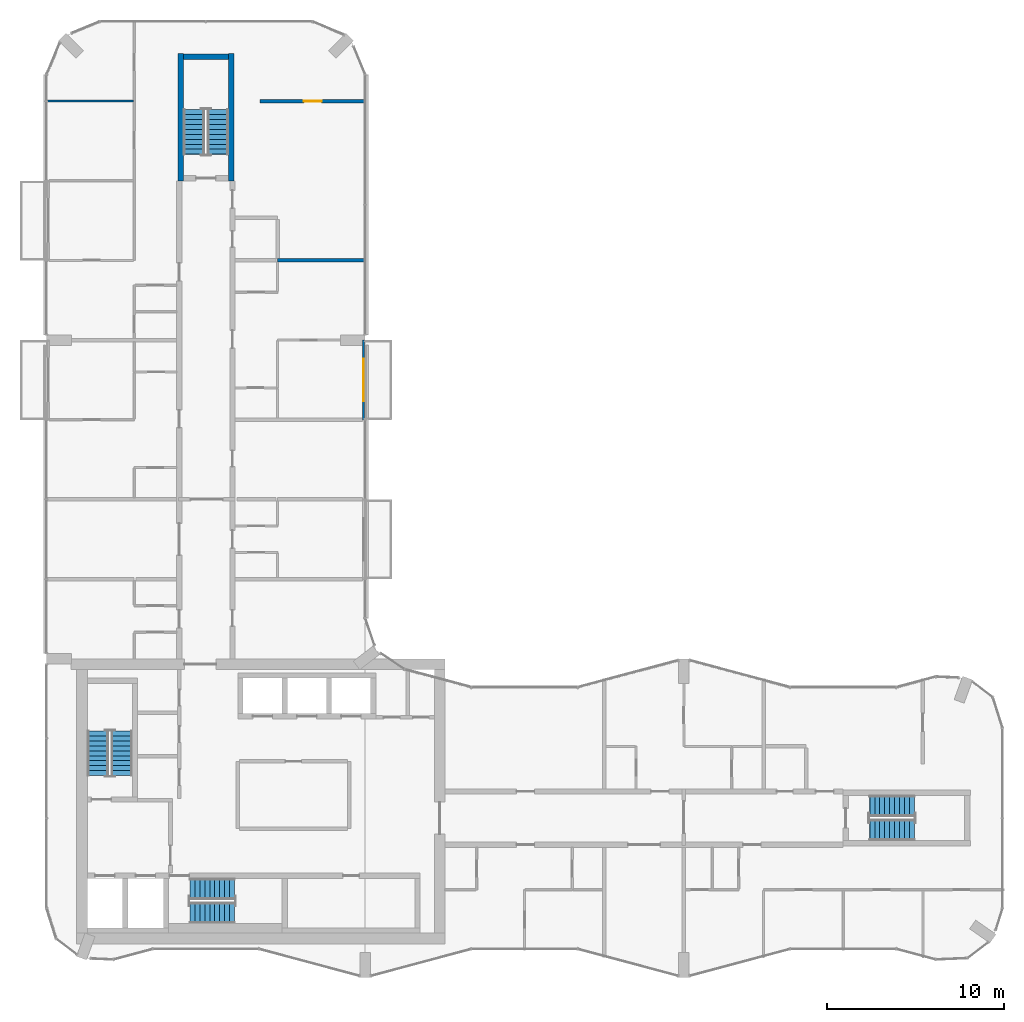
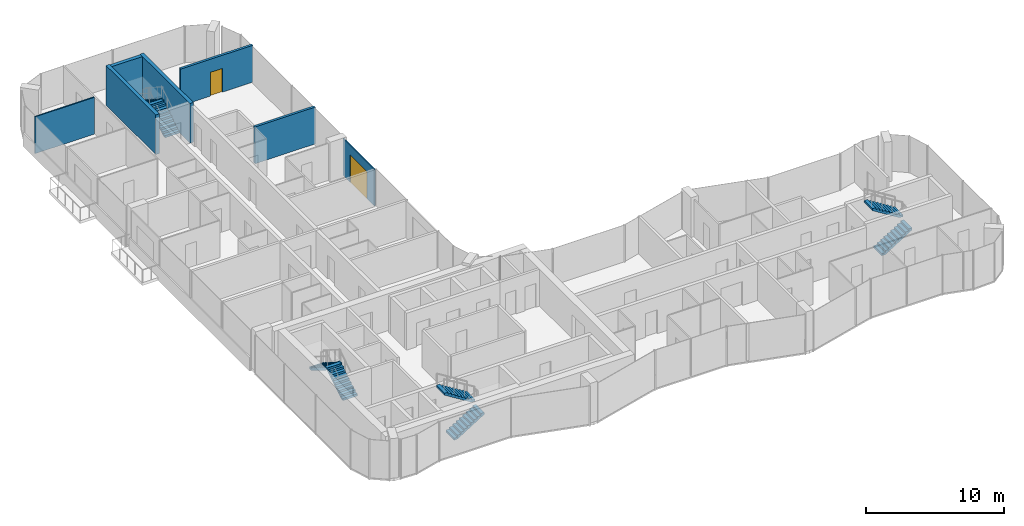
# One storey, part 13 of 15: 8 stair flights, 7 walls, 2 doors, 2 openings, 4 elements without a shape of their own.
"""IFC4 building model written with IfcOpenShell, lengths in metres."""

from ifc_helpers import new_model, si_unit, direction, frame, frame_2d, origin, place, context, subcontext, project, spatial, polyline, rectangle, outline, extrude, material, layer, layer_set, type_object, element, fill, aggregate, save


model = new_model("IFC4")

# Units and contexts
model_context = context("Model", 3, precision=1e-05, world=origin(), true_north=direction((0.0, 1.0)))
body_context = subcontext(model_context, "Body", "Model", "MODEL_VIEW")
ifc_project = project(units=[si_unit("LENGTHUNIT", "METRE"), si_unit("AREAUNIT", "SQUARE_METRE"), si_unit("VOLUMEUNIT", "CUBIC_METRE"), si_unit("PLANEANGLEUNIT", "RADIAN"), si_unit("MASSUNIT", "GRAM", prefix="KILO")], contexts=[model_context])

# Site, building, storey
site_placement = place(None, origin())
site = spatial("IfcSite", under=ifc_project, at=site_placement, CompositionType="ELEMENT")
building_placement = place(site_placement, origin())
building = spatial("IfcBuilding", under=site, at=building_placement, Name="Plateau Cross Towers", CompositionType="ELEMENT")
storey_placement = place(building_placement, frame((0.0, 0.0, 149.89990234375)))
storey = spatial("IfcBuildingStorey", under=building, at=storey_placement, Name="L38", CompositionType="ELEMENT", Elevation=149.89990234375)

# Wall, opening, door
ifc_material_1 = material(Name="Aluminium framed glazing", Category="aluminium")
ifc_layer_1 = layer(ifc_material_1, 0.10009765625)
ifc_layer_set_1 = layer_set([ifc_layer_1], Name="Aluminium framed glazing")
wall_type_1 = type_object("IfcWallType", Name="Balcony screen wall 100", PredefinedType="STANDARD", material=ifc_layer_set_1)
wall_1_placement = place(storey_placement, frame((17.89990234375, 36.0, 0.0), z_axis=(0.0, 0.0, 1.0), x_axis=(0.0, -1.0, 0.0)))
wall_1 = element("IfcWall", 1, at=wall_1_placement, inside=storey, type_object=wall_type_1, Name="Balcony screen wall A-BAL-L38-04", PredefinedType="STANDARD", context=body_context, shape_type="SweptSolid", body=[
    extrude(rectangle(XDim=4.5, YDim=0.10009765625, at=frame_2d((2.25, 0.0))), origin(), (0.0, 0.0, 1.0), 3.25),
])
opening_1_placement = place(wall_1_placement, frame((1.050048828125, 0.0, 0.0)))
opening_1 = element("IfcOpeningElement", 2, at=opening_1_placement, cuts=wall_1, Name="Opening D-B24", PredefinedType="OPENING", context=body_context, shape_type="SweptSolid", body=[
    extrude(rectangle(XDim=2.39990234375, YDim=2.39990234375, at=frame_2d((1.199951171875, 1.199951171875))), frame((0.0, 0.06005859375, 0.0), z_axis=(0.0, -1.0, 0.0), x_axis=(1.0, 0.0, 0.0)), (0.0, 0.0, 1.0), 0.1201171875),
])
ifc_material_2 = material(Name="Aluminium frame, double glazing", Category="aluminium")
door_type_1 = type_object("IfcDoorType", Name="Balcony sliding door 2400", OperationType="NOTDEFINED", PredefinedType="DOOR", material=ifc_material_2)
door_1_placement = place(opening_1_placement, origin())
door_1 = element("IfcDoor", 3, at=door_1_placement, inside=storey, type_object=door_type_1, Name="Balcony door A-BAL-L38-04", OperationType="SINGLE_SWING_LEFT", OverallHeight=2.39990234375, OverallWidth=2.39990234375, PredefinedType="DOOR", context=body_context, shape_type="SweptSolid", body=[
    extrude(rectangle(XDim=2.39990234375, YDim=2.39990234375, at=frame_2d((1.199951171875, 1.199951171875))), frame((0.0, 0.02490234375, 0.0), z_axis=(0.0, -1.0, 0.0), x_axis=(1.0, 0.0, 0.0)), (0.0, 0.0, 1.0), 0.050048828125),
])
fill(opening_1, door_1)

# Walls
ifc_material_3 = material(Name="Gypsum board on steel studs", Category="steel")
ifc_layer_2 = layer(ifc_material_3, 0.10009765625)
ifc_layer_set_2 = layer_set([ifc_layer_2], Name="Gypsum board on steel studs")
wall_type_2 = type_object("IfcWallType", Name="Flat partition 100", PredefinedType="PARTITIONING", material=ifc_layer_set_2)
wall_2_placement = place(storey_placement, frame((4.89990234375, 49.5, 0.0), z_axis=(0.0, 0.0, 1.0), x_axis=(-1.0, 0.0, 0.0)))
element("IfcWall", 4, at=wall_2_placement, inside=storey, type_object=wall_type_2, Name="Partition wall", PredefinedType="PARTITIONING", context=body_context, shape_type="SweptSolid", body=[
    extrude(rectangle(XDim=4.97998046875, YDim=0.10009765625, at=frame_2d((2.489990234375, 0.0))), origin(), (0.0, 0.0, 1.0), 3.25),
])
ifc_material_4 = material(Name="Gypsum board on steel studs, two layers each side", Category="steel")
ifc_layer_3 = layer(ifc_material_4, 0.199951171875)
ifc_layer_set_3 = layer_set([ifc_layer_3], Name="Gypsum board on steel studs, two layers each side")
wall_type_3 = type_object("IfcWallType", Name="Flat party wall 200", PredefinedType="PARTITIONING", material=ifc_layer_set_3)
wall_3_placement = place(storey_placement, frame((13.050048828125, 40.5, 0.0), z_axis=(0.0, 0.0, 1.0), x_axis=(1.0, 0.0, 0.0)))
element("IfcWall", 5, at=wall_3_placement, inside=storey, type_object=wall_type_3, Name="Party wall", PredefinedType="PARTITIONING", context=body_context, shape_type="SweptSolid", body=[
    extrude(rectangle(XDim=5.030029296875, YDim=0.199951171875, at=frame_2d((2.51513671875, 0.0))), origin(), (0.0, 0.0, 1.0), 3.25),
])

# Wall, opening, door
wall_4_placement = place(storey_placement, frame((18.080078125, 49.5, 0.0), z_axis=(0.0, 0.0, 1.0), x_axis=(-1.0, 0.0, 0.0)))
wall_4 = element("IfcWall", 6, at=wall_4_placement, inside=storey, type_object=wall_type_3, Name="Party wall", PredefinedType="PARTITIONING", context=body_context, shape_type="SweptSolid", body=[
    extrude(rectangle(XDim=6.030029296875, YDim=0.199951171875, at=frame_2d((3.01513671875, 0.0))), origin(), (0.0, 0.0, 1.0), 3.25),
])
opening_2_placement = place(wall_4_placement, frame((2.550048828125, 0.0, 0.0)))
opening_2 = element("IfcOpeningElement", 7, at=opening_2_placement, cuts=wall_4, Name="Opening 38-21", PredefinedType="OPENING", context=body_context, shape_type="SweptSolid", body=[
    extrude(rectangle(XDim=1.0, YDim=2.10009765625, at=frame_2d((0.5, 1.050048828125))), frame((0.0, 0.10986328125, 0.0), z_axis=(0.0, -1.0, 0.0), x_axis=(1.0, 0.0, 0.0)), (0.0, 0.0, 1.0), 0.219970703125),
])
ifc_material_5 = material(Name="Timber, fire-resisting leaf", Category="wood")
door_type_2 = type_object("IfcDoorType", Name="Flat entrance door 1000", OperationType="NOTDEFINED", PredefinedType="DOOR", material=ifc_material_5)
door_2_placement = place(opening_2_placement, origin())
door_2 = element("IfcDoor", 8, at=door_2_placement, inside=storey, type_object=door_type_2, Name="Door 38-21", OperationType="SINGLE_SWING_RIGHT", OverallHeight=2.10009765625, OverallWidth=1.0, PredefinedType="DOOR", context=body_context, shape_type="SweptSolid", body=[
    extrude(rectangle(XDim=1.0, YDim=2.10009765625, at=frame_2d((0.5, 1.050048828125))), frame((0.0, 0.02490234375, 0.0), z_axis=(0.0, -1.0, 0.0), x_axis=(1.0, 0.0, 0.0)), (0.0, 0.0, 1.0), 0.050048828125),
])
fill(opening_2, door_2)

# Walls
ifc_material_6 = material(Name="Concrete C60/75", Category="concrete")
ifc_layer_4 = layer(ifc_material_6, 0.300048828125)
ifc_layer_set_4 = layer_set([ifc_layer_4], Name="Concrete C60/75")
wall_type_4 = type_object("IfcWallType", Name="Stair tower wall 300", PredefinedType="SHEAR", material=ifc_layer_set_4)
wall_5_placement = place(storey_placement, frame((7.72509765625, 52.0, 0.0), z_axis=(0.0, 0.0, 1.0), x_axis=(1.0, 0.0, 0.0)))
element("IfcWall", 9, at=wall_5_placement, inside=storey, type_object=wall_type_4, Name="A-end-N-N@L38", PredefinedType="SHEAR", context=body_context, shape_type="SweptSolid", body=[
    extrude(rectangle(XDim=2.5498046875, YDim=0.300048828125, at=frame_2d((1.27490234375, 0.0))), origin(), (0.0, 0.0, 1.0), 3.5),
])
for number, where, z_axis, x_axis, name in (
    (10, (7.574951171875, 45.0, 0.0), (0.0, 0.0, 1.0), (0.0, 1.0, 0.0), "A-end-N-W@L38"),
    (11, (10.425048828125, 45.0, 0.0), (0.0, 0.0, 1.0), (0.0, 1.0, 0.0), "A-end-N-E@L38"),
):
    element("IfcWall", number, at=place(storey_placement, frame(where, z_axis=z_axis, x_axis=x_axis)), inside=storey, type_object=wall_type_4, Name=name, PredefinedType="SHEAR", context=body_context, shape_type="SweptSolid", body=[
        extrude(rectangle(XDim=7.199951171875, YDim=0.300048828125, at=frame_2d((3.60009765625, 0.0))), origin(), (0.0, 0.0, 1.0), 3.5),
    ])

# Stair, stair flights
ifc_material_7 = material(Name="Concrete C40/50", Category="concrete")
stair_type = type_object("IfcStairType", Name="ST-TWR", PredefinedType="HALF_TURN_STAIR", material=ifc_material_7)
stair_1_placement = place(storey_placement, origin())
stair_1 = element("IfcStair", 12, at=stair_1_placement, inside=storey, type_object=stair_type, Name="L38 Protected Exit Stair ST-1", PredefinedType="HALF_TURN_STAIR")
stair_flight_type = type_object("IfcStairFlightType", Name="SFL-RC", PredefinedType="STRAIGHT", material=ifc_material_7)
stair_flight_1_placement = place(storey_placement, frame((4.25, 11.39990234375, 0.0), z_axis=(0.0, 0.0, 1.0), x_axis=(0.0, 1.0, 0.0)))
stair_flight_1 = element("IfcStairFlight", 13, at=stair_flight_1_placement, type_object=stair_flight_type, Name="ST-1 flight 1", NumberOfRisers=10, NumberOfTreads=9, PredefinedType="STRAIGHT", RiserHeight=0.175, TreadLength=0.28, context=body_context, shape_type="SweptSolid", body=[
    extrude(outline(polyline([(-0.0048828125, -0.010009765625), (-0.0048828125, 0.0), (0.0, 0.0), (0.0, 0.175048828125), (0.280029296875, 0.175048828125), (0.280029296875, 0.35009765625), (0.56005859375, 0.35009765625), (0.56005859375, 0.52490234375), (0.840087890625, 0.52490234375), (0.840087890625, 0.699951171875), (1.1201171875, 0.699951171875), (1.1201171875, 0.875), (1.39990234375, 0.875), (1.39990234375, 1.050048828125), (1.679931640625, 1.050048828125), (1.679931640625, 1.22509765625), (1.9599609375, 1.22509765625), (1.9599609375, 1.39990234375), (2.239990234375, 1.39990234375), (2.239990234375, 1.574951171875), (2.52001953125, 1.574951171875), (2.52490234375, 1.56494140625), (2.52490234375, 1.398193359375), (2.52001953125, 1.398193359375), (0.28271484375, 0.0), (0.02001953125, 0.0), (0.02001953125, -0.010009765625), (-0.0048828125, -0.010009765625)])), frame((0.0, 0.60009765625, 0.0), z_axis=(0.0, -1.0, 0.0), x_axis=(1.0, 0.0, 0.0)), (0.0, 0.0, 1.0), 1.199951171875),
])
stair_flight_2_placement = place(storey_placement, frame((2.89990234375, 13.919921875, 1.75), z_axis=(0.0, 0.0, 1.0), x_axis=(0.0, -1.0, 0.0)))
stair_flight_2 = element("IfcStairFlight", 14, at=stair_flight_2_placement, type_object=stair_flight_type, Name="ST-1 flight 2", NumberOfRisers=10, NumberOfTreads=9, PredefinedType="STRAIGHT", RiserHeight=0.175, TreadLength=0.28, context=body_context, shape_type="SweptSolid", body=[
    extrude(outline(polyline([(-0.0048828125, -0.010009765625), (-0.0048828125, 0.0), (0.0, 0.0), (0.0, 0.175048828125), (0.280029296875, 0.175048828125), (0.280029296875, 0.35009765625), (0.56005859375, 0.35009765625), (0.56005859375, 0.52490234375), (0.840087890625, 0.52490234375), (0.840087890625, 0.699951171875), (1.1201171875, 0.699951171875), (1.1201171875, 0.875), (1.39990234375, 0.875), (1.39990234375, 1.050048828125), (1.679931640625, 1.050048828125), (1.679931640625, 1.22509765625), (1.9599609375, 1.22509765625), (1.9599609375, 1.39990234375), (2.239990234375, 1.39990234375), (2.239990234375, 1.574951171875), (2.52001953125, 1.574951171875), (2.52490234375, 1.56494140625), (2.52490234375, 1.398193359375), (2.52001953125, 1.398193359375), (0.28271484375, 0.0), (0.02001953125, 0.0), (0.02001953125, -0.010009765625), (-0.0048828125, -0.010009765625)])), frame((0.0, 0.60009765625, 0.0), z_axis=(0.0, -1.0, 0.0), x_axis=(1.0, 0.0, 0.0)), (0.0, 0.0, 1.0), 1.199951171875),
])
aggregate(stair_1, [stair_flight_1, stair_flight_2])

stair_2_placement = place(storey_placement, origin())
stair_2 = element("IfcStair", 15, at=stair_2_placement, inside=storey, type_object=stair_type, Name="L38 Protected Exit Stair ST-2", PredefinedType="HALF_TURN_STAIR")
stair_flight_3_placement = place(storey_placement, frame((8.10009765625, 3.64990234375, 0.0), z_axis=(0.0, 0.0, 1.0), x_axis=(1.0, 0.0, 0.0)))
stair_flight_3 = element("IfcStairFlight", 16, at=stair_flight_3_placement, type_object=stair_flight_type, Name="ST-2 flight 1", NumberOfRisers=10, NumberOfTreads=9, PredefinedType="STRAIGHT", RiserHeight=0.175, TreadLength=0.28, context=body_context, shape_type="SweptSolid", body=[
    extrude(outline(polyline([(-0.0048828125, -0.010009765625), (-0.0048828125, 0.0), (0.0, 0.0), (0.0, 0.175048828125), (0.280029296875, 0.175048828125), (0.280029296875, 0.35009765625), (0.56005859375, 0.35009765625), (0.56005859375, 0.52490234375), (0.840087890625, 0.52490234375), (0.840087890625, 0.699951171875), (1.1201171875, 0.699951171875), (1.1201171875, 0.875), (1.39990234375, 0.875), (1.39990234375, 1.050048828125), (1.679931640625, 1.050048828125), (1.679931640625, 1.22509765625), (1.9599609375, 1.22509765625), (1.9599609375, 1.39990234375), (2.239990234375, 1.39990234375), (2.239990234375, 1.574951171875), (2.52001953125, 1.574951171875), (2.52490234375, 1.56494140625), (2.52490234375, 1.398193359375), (2.52001953125, 1.398193359375), (0.28271484375, 0.0), (0.02001953125, 0.0), (0.02001953125, -0.010009765625), (-0.0048828125, -0.010009765625)])), frame((0.0, 0.60009765625, 0.0), z_axis=(0.0, -1.0, 0.0), x_axis=(1.0, 0.0, 0.0)), (0.0, 0.0, 1.0), 1.199951171875),
])
stair_flight_4_placement = place(storey_placement, frame((10.6201171875, 5.0, 1.75), z_axis=(0.0, 0.0, 1.0), x_axis=(-1.0, 0.0, 0.0)))
stair_flight_4 = element("IfcStairFlight", 17, at=stair_flight_4_placement, type_object=stair_flight_type, Name="ST-2 flight 2", NumberOfRisers=10, NumberOfTreads=9, PredefinedType="STRAIGHT", RiserHeight=0.175, TreadLength=0.28, context=body_context, shape_type="SweptSolid", body=[
    extrude(outline(polyline([(-0.0048828125, -0.010009765625), (-0.0048828125, 0.0), (0.0, 0.0), (0.0, 0.175048828125), (0.280029296875, 0.175048828125), (0.280029296875, 0.35009765625), (0.56005859375, 0.35009765625), (0.56005859375, 0.52490234375), (0.840087890625, 0.52490234375), (0.840087890625, 0.699951171875), (1.1201171875, 0.699951171875), (1.1201171875, 0.875), (1.39990234375, 0.875), (1.39990234375, 1.050048828125), (1.679931640625, 1.050048828125), (1.679931640625, 1.22509765625), (1.9599609375, 1.22509765625), (1.9599609375, 1.39990234375), (2.239990234375, 1.39990234375), (2.239990234375, 1.574951171875), (2.52001953125, 1.574951171875), (2.52490234375, 1.56494140625), (2.52490234375, 1.398193359375), (2.52001953125, 1.398193359375), (0.28271484375, 0.0), (0.02001953125, 0.0), (0.02001953125, -0.010009765625), (-0.0048828125, -0.010009765625)])), frame((0.0, 0.60009765625, 0.0), z_axis=(0.0, -1.0, 0.0), x_axis=(1.0, 0.0, 0.0)), (0.0, 0.0, 1.0), 1.199951171875),
])
aggregate(stair_2, [stair_flight_3, stair_flight_4])

stair_3_placement = place(storey_placement, origin())
stair_3 = element("IfcStair", 18, at=stair_3_placement, inside=storey, type_object=stair_type, Name="L38 Protected Exit Stair E", PredefinedType="HALF_TURN_STAIR")
stair_flight_5_placement = place(storey_placement, frame((46.5, 8.324951171875, 0.0), z_axis=(0.0, 0.0, 1.0), x_axis=(1.0, 0.0, 0.0)))
stair_flight_5 = element("IfcStairFlight", 19, at=stair_flight_5_placement, type_object=stair_flight_type, Name="ES-E flight 1", NumberOfRisers=10, NumberOfTreads=9, PredefinedType="STRAIGHT", RiserHeight=0.175, TreadLength=0.28, context=body_context, shape_type="SweptSolid", body=[
    extrude(outline(polyline([(-0.0048828125, -0.010009765625), (-0.0048828125, 0.0), (0.0, 0.0), (0.0, 0.175048828125), (0.280029296875, 0.175048828125), (0.280029296875, 0.35009765625), (0.56005859375, 0.35009765625), (0.56005859375, 0.52490234375), (0.840087890625, 0.52490234375), (0.840087890625, 0.699951171875), (1.1201171875, 0.699951171875), (1.1201171875, 0.875), (1.39990234375, 0.875), (1.39990234375, 1.050048828125), (1.679931640625, 1.050048828125), (1.679931640625, 1.22509765625), (1.9599609375, 1.22509765625), (1.9599609375, 1.39990234375), (2.239990234375, 1.39990234375), (2.239990234375, 1.574951171875), (2.52001953125, 1.574951171875), (2.52490234375, 1.56494140625), (2.52490234375, 1.398193359375), (2.52001953125, 1.398193359375), (0.28271484375, 0.0), (0.02001953125, 0.0), (0.02001953125, -0.010009765625), (-0.0048828125, -0.010009765625)])), frame((0.0, 0.60009765625, 0.0), z_axis=(0.0, -1.0, 0.0), x_axis=(1.0, 0.0, 0.0)), (0.0, 0.0, 1.0), 1.199951171875),
])
stair_flight_6_placement = place(storey_placement, frame((49.02001953125, 9.675048828125, 1.75), z_axis=(0.0, 0.0, 1.0), x_axis=(-1.0, 0.0, 0.0)))
stair_flight_6 = element("IfcStairFlight", 20, at=stair_flight_6_placement, type_object=stair_flight_type, Name="ES-E flight 2", NumberOfRisers=10, NumberOfTreads=9, PredefinedType="STRAIGHT", RiserHeight=0.175, TreadLength=0.28, context=body_context, shape_type="SweptSolid", body=[
    extrude(outline(polyline([(-0.0048828125, -0.010009765625), (-0.0048828125, 0.0), (0.0, 0.0), (0.0, 0.175048828125), (0.280029296875, 0.175048828125), (0.280029296875, 0.35009765625), (0.56005859375, 0.35009765625), (0.56005859375, 0.52490234375), (0.840087890625, 0.52490234375), (0.840087890625, 0.699951171875), (1.1201171875, 0.699951171875), (1.1201171875, 0.875), (1.39990234375, 0.875), (1.39990234375, 1.050048828125), (1.679931640625, 1.050048828125), (1.679931640625, 1.22509765625), (1.9599609375, 1.22509765625), (1.9599609375, 1.39990234375), (2.239990234375, 1.39990234375), (2.239990234375, 1.574951171875), (2.52001953125, 1.574951171875), (2.52490234375, 1.56494140625), (2.52490234375, 1.398193359375), (2.52001953125, 1.398193359375), (0.28271484375, 0.0), (0.02001953125, 0.0), (0.02001953125, -0.010009765625), (-0.0048828125, -0.010009765625)])), frame((0.0, 0.60009765625, 0.0), z_axis=(0.0, -1.0, 0.0), x_axis=(1.0, 0.0, 0.0)), (0.0, 0.0, 1.0), 1.199951171875),
])
aggregate(stair_3, [stair_flight_5, stair_flight_6])

stair_4_placement = place(storey_placement, origin())
stair_4 = element("IfcStair", 21, at=stair_4_placement, inside=storey, type_object=stair_type, Name="L38 Protected Exit Stair N", PredefinedType="HALF_TURN_STAIR")
stair_flight_7_placement = place(storey_placement, frame((9.675048828125, 46.5, 0.0), z_axis=(0.0, 0.0, 1.0), x_axis=(0.0, 1.0, 0.0)))
stair_flight_7 = element("IfcStairFlight", 22, at=stair_flight_7_placement, type_object=stair_flight_type, Name="ES-N flight 1", NumberOfRisers=10, NumberOfTreads=9, PredefinedType="STRAIGHT", RiserHeight=0.175, TreadLength=0.28, context=body_context, shape_type="SweptSolid", body=[
    extrude(outline(polyline([(-0.0048828125, -0.010009765625), (-0.0048828125, 0.0), (0.0, 0.0), (0.0, 0.175048828125), (0.280029296875, 0.175048828125), (0.280029296875, 0.35009765625), (0.56005859375, 0.35009765625), (0.56005859375, 0.52490234375), (0.840087890625, 0.52490234375), (0.840087890625, 0.699951171875), (1.1201171875, 0.699951171875), (1.1201171875, 0.875), (1.39990234375, 0.875), (1.39990234375, 1.050048828125), (1.679931640625, 1.050048828125), (1.679931640625, 1.22509765625), (1.9599609375, 1.22509765625), (1.9599609375, 1.39990234375), (2.239990234375, 1.39990234375), (2.239990234375, 1.574951171875), (2.52001953125, 1.574951171875), (2.52490234375, 1.56494140625), (2.52490234375, 1.398193359375), (2.52001953125, 1.398193359375), (0.28271484375, 0.0), (0.02001953125, 0.0), (0.02001953125, -0.010009765625), (-0.0048828125, -0.010009765625)])), frame((0.0, 0.60009765625, 0.0), z_axis=(0.0, -1.0, 0.0), x_axis=(1.0, 0.0, 0.0)), (0.0, 0.0, 1.0), 1.199951171875),
])
stair_flight_8_placement = place(storey_placement, frame((8.324951171875, 49.02001953125, 1.75), z_axis=(0.0, 0.0, 1.0), x_axis=(0.0, -1.0, 0.0)))
stair_flight_8 = element("IfcStairFlight", 23, at=stair_flight_8_placement, type_object=stair_flight_type, Name="ES-N flight 2", NumberOfRisers=10, NumberOfTreads=9, PredefinedType="STRAIGHT", RiserHeight=0.175, TreadLength=0.28, context=body_context, shape_type="SweptSolid", body=[
    extrude(outline(polyline([(-0.0048828125, -0.010009765625), (-0.0048828125, 0.0), (0.0, 0.0), (0.0, 0.175048828125), (0.280029296875, 0.175048828125), (0.280029296875, 0.35009765625), (0.56005859375, 0.35009765625), (0.56005859375, 0.52490234375), (0.840087890625, 0.52490234375), (0.840087890625, 0.699951171875), (1.1201171875, 0.699951171875), (1.1201171875, 0.875), (1.39990234375, 0.875), (1.39990234375, 1.050048828125), (1.679931640625, 1.050048828125), (1.679931640625, 1.22509765625), (1.9599609375, 1.22509765625), (1.9599609375, 1.39990234375), (2.239990234375, 1.39990234375), (2.239990234375, 1.574951171875), (2.52001953125, 1.574951171875), (2.52490234375, 1.56494140625), (2.52490234375, 1.398193359375), (2.52001953125, 1.398193359375), (0.28271484375, 0.0), (0.02001953125, 0.0), (0.02001953125, -0.010009765625), (-0.0048828125, -0.010009765625)])), frame((0.0, 0.60009765625, 0.0), z_axis=(0.0, -1.0, 0.0), x_axis=(1.0, 0.0, 0.0)), (0.0, 0.0, 1.0), 1.199951171875),
])
aggregate(stair_4, [stair_flight_7, stair_flight_8])

save(model, "model.ifc")
